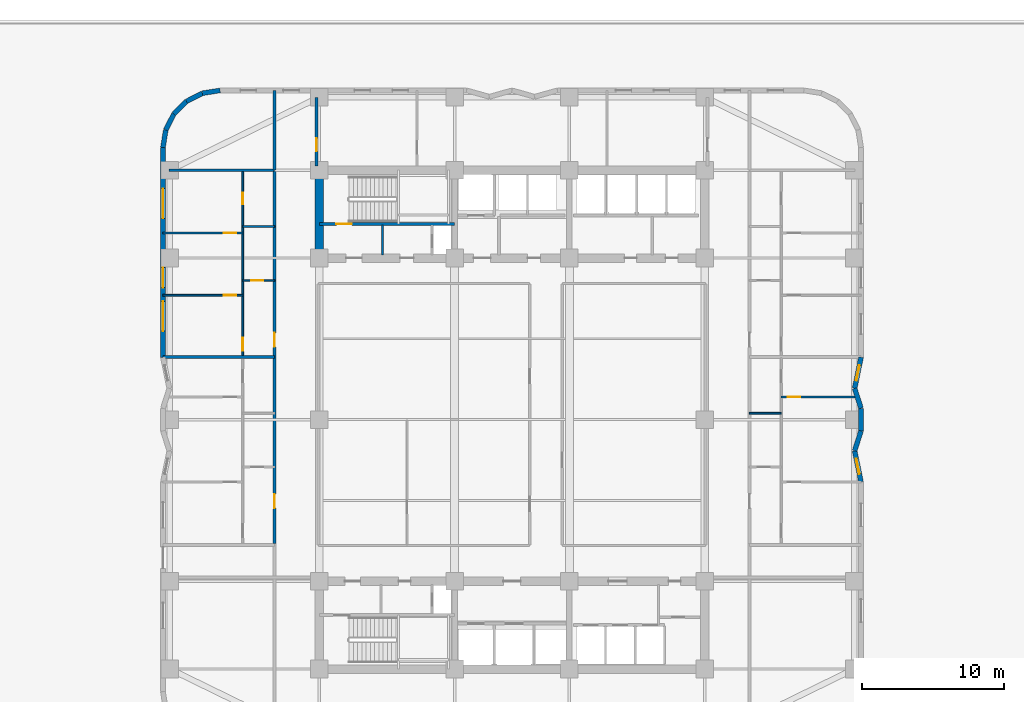
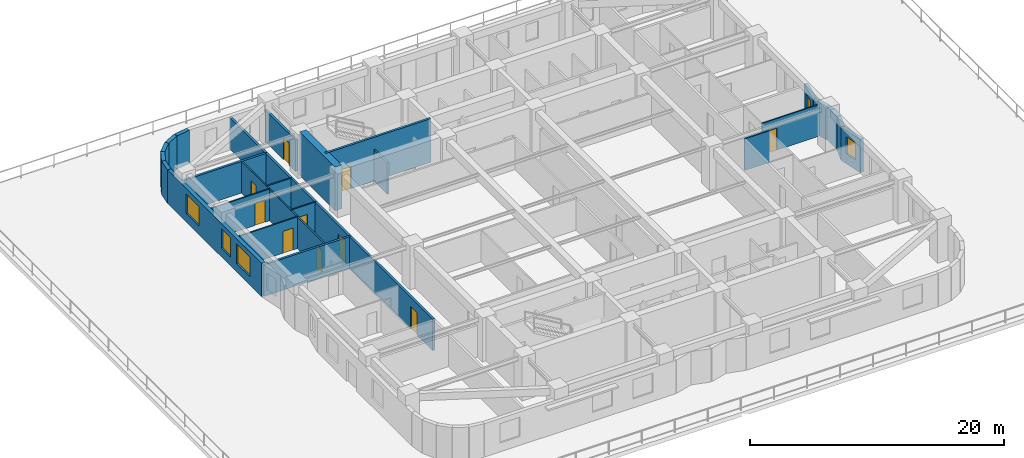
# One storey, part 5 of 11: 26 walls, 10 doors, 5 windows, 15 openings.
"""IFC4 building model written with IfcOpenShell, lengths in metres."""

from ifc_helpers import new_model, si_unit, direction, frame, frame_2d, origin, place, context, subcontext, project, spatial, rectangle, extrude, material, layer, layer_set, type_object, element, fill, save


model = new_model("IFC4")

# Units and contexts
model_context = context("Model", 3, precision=1e-05, world=origin(), true_north=direction((0.0, 1.0)))
body_context = subcontext(model_context, "Body", "Model", "MODEL_VIEW")
ifc_project = project(units=[si_unit("LENGTHUNIT", "METRE"), si_unit("AREAUNIT", "SQUARE_METRE"), si_unit("VOLUMEUNIT", "CUBIC_METRE"), si_unit("PLANEANGLEUNIT", "RADIAN"), si_unit("MASSUNIT", "GRAM", prefix="KILO")], contexts=[model_context])

# Site, building, storey
site_placement = place(None, origin())
site = spatial("IfcSite", under=ifc_project, at=site_placement, CompositionType="ELEMENT")
building_placement = place(site_placement, origin())
building = spatial("IfcBuilding", under=site, at=building_placement, Name="Svetorya Sky Lyceum", CompositionType="ELEMENT")
storey_placement = place(building_placement, frame((0.0, 0.0, 24.60009765625)))
storey = spatial("IfcBuildingStorey", under=building, at=storey_placement, Name="L05", CompositionType="ELEMENT", Elevation=24.60009765625)

# Wall
ifc_material_1 = material(Name="Concrete C60/75", Category="concrete")
ifc_layer_1 = layer(ifc_material_1, 0.60009765625)
ifc_layer_set_1 = layer_set([ifc_layer_1], Name="Concrete C60/75")
wall_type_1 = type_object("IfcWallType", Name="WL-CORE-600", PredefinedType="SHEAR", material=ifc_layer_set_1)
wall_1_placement = place(storey_placement, frame((25.60009765625, 39.89990234375, 0.0), z_axis=(0.0, 0.0, 1.0), x_axis=(0.0, 1.0, 0.0)))
element("IfcWall", 1, at=wall_1_placement, inside=storey, type_object=wall_type_1, Name="L05 NC West Core Shear Wall", PredefinedType="SHEAR", context=body_context, shape_type="SweptSolid", body=[
    extrude(rectangle(XDim=5.60009765625, YDim=0.60009765625, at=frame_2d((2.800048828125, 0.0))), origin(), (0.0, 0.0, 1.0), 4.199951171875),
])

# Wall, opening, window
ifc_material_2 = material(Name="Putilovo limestone rainscreen on autoclaved cellular masonry", Category="masonry")
ifc_layer_2 = layer(ifc_material_2, 0.340087890625)
ifc_layer_set_2 = layer_set([ifc_layer_2], Name="Putilovo limestone rainscreen on autoclaved cellular masonry")
wall_type_2 = type_object("IfcWallType", Name="WL-EXT-340", PredefinedType="SOLIDWALL", material=ifc_layer_set_2)
wall_2_placement = place(storey_placement, frame((63.830078125, 23.800048828125, 0.0), z_axis=(0.0, 0.0, 1.0), x_axis=(-0.200483989418, 0.979696978656, 0.0)))
wall_2 = element("IfcWall", 2, at=wall_2_placement, inside=storey, type_object=wall_type_2, Name="L05 Limestone Exterior Wall 18M", PredefinedType="SOLIDWALL", context=body_context, shape_type="SweptSolid", body=[
    extrude(rectangle(XDim=2.24560546875, YDim=0.340087890625, at=frame_2d((1.122802734375, 0.0))), origin(), (0.0, 0.0, 1.0), 3.199951171875),
])
opening_1_placement = place(wall_2_placement, frame((0.57275390625, 0.0, 0.949951171875)))
opening_1 = element("IfcOpeningElement", 3, at=opening_1_placement, cuts=wall_2, Name="Opening W-R3", PredefinedType="OPENING", context=body_context, shape_type="SweptSolid", body=[
    extrude(rectangle(XDim=1.10009765625, YDim=1.64990234375, at=frame_2d((0.550048828125, 0.824951171875))), frame((0.0, 0.179931640625, 0.0), z_axis=(0.0, -1.0, 0.0), x_axis=(1.0, 0.0, 0.0)), (0.0, 0.0, 1.0), 0.360107421875),
])
ifc_material_3 = material(Name="Thermally broken aluminium frame with triple low-E glazing", Category="aluminium")
window_type_1 = type_object("IfcWindowType", Name="WN-RES-110", PartitioningType="SINGLE_PANEL", PredefinedType="WINDOW", material=ifc_material_3)
window_1_placement = place(opening_1_placement, origin())
window_1 = element("IfcWindow", 4, at=window_1_placement, inside=storey, type_object=window_type_1, Name="L05 Facade Window W-R3.18M.1", OverallHeight=1.64990234375, OverallWidth=1.10009765625, PartitioningType="SINGLE_PANEL", PredefinedType="WINDOW", context=body_context, shape_type="SweptSolid", body=[
    extrude(rectangle(XDim=1.10009765625, YDim=1.64990234375, at=frame_2d((0.550048828125, 0.824951171875))), frame((0.0, 0.030029296875, 0.0), z_axis=(0.0, -1.0, 0.0), x_axis=(1.0, 0.0, 0.0)), (0.0, 0.0, 1.0), 0.06005859375),
])
fill(opening_1, window_1)

# Walls
wall_3_placement = place(storey_placement, frame((63.3798828125, 26.0, 0.0), z_axis=(0.0, 0.0, 1.0), x_axis=(0.306148906283, 0.951983638085, 0.0)))
element("IfcWall", 5, at=wall_3_placement, inside=storey, type_object=wall_type_2, Name="L05 Limestone Exterior Wall 19M", PredefinedType="SOLIDWALL", context=body_context, shape_type="SweptSolid", body=[
    extrude(rectangle(XDim=1.470458984375, YDim=0.340087890625, at=frame_2d((0.7353515625, 0.0))), origin(), (0.0, 0.0, 1.0), 3.199951171875),
])
wall_4_placement = place(storey_placement, frame((63.830078125, 27.39990234375, 0.0), z_axis=(0.0, 0.0, 1.0), x_axis=(0.0, 1.0, 0.0)))
element("IfcWall", 6, at=wall_4_placement, inside=storey, type_object=wall_type_2, Name="L05 Limestone Exterior Wall 20M", PredefinedType="SOLIDWALL", context=body_context, shape_type="SweptSolid", body=[
    extrude(rectangle(XDim=1.60009765625, YDim=0.340087890625, at=frame_2d((0.800048828125, 0.0))), origin(), (0.0, 0.0, 1.0), 3.199951171875),
])
wall_5_placement = place(storey_placement, frame((63.830078125, 29.0, 0.0), z_axis=(0.0, 0.0, 1.0), x_axis=(-0.306148906283, 0.951983638085, 0.0)))
element("IfcWall", 7, at=wall_5_placement, inside=storey, type_object=wall_type_2, Name="L05 Limestone Exterior Wall 21M", PredefinedType="SOLIDWALL", context=body_context, shape_type="SweptSolid", body=[
    extrude(rectangle(XDim=1.470458984375, YDim=0.340087890625, at=frame_2d((0.7353515625, 0.0))), origin(), (0.0, 0.0, 1.0), 3.199951171875),
])

# Wall, opening, window
wall_6_placement = place(storey_placement, frame((63.3798828125, 30.39990234375, 0.0), z_axis=(0.0, 0.0, 1.0), x_axis=(0.200462637103, 0.979701347925, 0.0)))
wall_6 = element("IfcWall", 8, at=wall_6_placement, inside=storey, type_object=wall_type_2, Name="L05 Limestone Exterior Wall 22M", PredefinedType="SOLIDWALL", context=body_context, shape_type="SweptSolid", body=[
    extrude(rectangle(XDim=2.245849609375, YDim=0.340087890625, at=frame_2d((1.123046875, 0.0))), origin(), (0.0, 0.0, 1.0), 3.199951171875),
])
opening_2_placement = place(wall_6_placement, frame((0.57275390625, 0.0, 0.949951171875)))
opening_2 = element("IfcOpeningElement", 9, at=opening_2_placement, cuts=wall_6, Name="Opening W-R3", PredefinedType="OPENING", context=body_context, shape_type="SweptSolid", body=[
    extrude(rectangle(XDim=1.10009765625, YDim=1.64990234375, at=frame_2d((0.550048828125, 0.824951171875))), frame((0.0, 0.179931640625, 0.0), z_axis=(0.0, -1.0, 0.0), x_axis=(1.0, 0.0, 0.0)), (0.0, 0.0, 1.0), 0.360107421875),
])
window_2_placement = place(opening_2_placement, origin())
window_2 = element("IfcWindow", 10, at=window_2_placement, inside=storey, type_object=window_type_1, Name="L05 Facade Window W-R3.22M.1", OverallHeight=1.64990234375, OverallWidth=1.10009765625, PartitioningType="SINGLE_PANEL", PredefinedType="WINDOW", context=body_context, shape_type="SweptSolid", body=[
    extrude(rectangle(XDim=1.10009765625, YDim=1.64990234375, at=frame_2d((0.550048828125, 0.824951171875))), frame((0.0, 0.030029296875, 0.0), z_axis=(0.0, -1.0, 0.0), x_axis=(1.0, 0.0, 0.0)), (0.0, 0.0, 1.0), 0.06005859375),
])
fill(opening_2, window_2)

# Walls
wall_7_placement = place(storey_placement, frame((18.60009765625, 51.429931640625, 0.0), z_axis=(0.0, 0.0, 1.0), x_axis=(-0.98771582066, -0.156260864002, 0.0)))
element("IfcWall", 11, at=wall_7_placement, inside=storey, type_object=wall_type_2, Name="L05 Limestone Exterior Wall 35M", PredefinedType="SOLIDWALL", context=body_context, shape_type="SweptSolid", body=[
    extrude(rectangle(XDim=1.2607421875, YDim=0.340087890625, at=frame_2d((0.63037109375, 0.0))), origin(), (0.0, 0.0, 1.0), 3.199951171875),
])
for number, where, z_axis, x_axis, name in (
    (12, (17.354736328125, 51.23291015625, 0.0), (0.0, 0.0, 1.0), (-0.890993689142, -0.454015689056, 0.0), "L05 Limestone Exterior Wall 36M"),
    (13, (16.231201171875, 50.660400390625, 0.0), (0.0, 0.0, 1.0), (-0.707106781187, -0.707106781187, 0.0), "L05 Limestone Exterior Wall 37M"),
    (14, (15.339599609375, 49.768798828125, 0.0), (0.0, 0.0, 1.0), (-0.454015689056, -0.890993689142, 0.0), "L05 Limestone Exterior Wall 38M"),
):
    element("IfcWall", number, at=place(storey_placement, frame(where, z_axis=z_axis, x_axis=x_axis)), inside=storey, type_object=wall_type_2, Name=name, PredefinedType="SOLIDWALL", context=body_context, shape_type="SweptSolid", body=[
        extrude(rectangle(XDim=1.260986328125, YDim=0.340087890625, at=frame_2d((0.63037109375, 0.0))), origin(), (0.0, 0.0, 1.0), 3.199951171875),
    ])
wall_8_placement = place(storey_placement, frame((14.76708984375, 48.645263671875, 0.0), z_axis=(0.0, 0.0, 1.0), x_axis=(-0.156260864002, -0.98771582066, 0.0)))
element("IfcWall", 15, at=wall_8_placement, inside=storey, type_object=wall_type_2, Name="L05 Limestone Exterior Wall 39M", PredefinedType="SOLIDWALL", context=body_context, shape_type="SweptSolid", body=[
    extrude(rectangle(XDim=1.2607421875, YDim=0.340087890625, at=frame_2d((0.63037109375, 0.0))), origin(), (0.0, 0.0, 1.0), 3.199951171875),
])

# Wall, openings, windows
wall_9_placement = place(storey_placement, frame((14.570068359375, 47.39990234375, 0.0), z_axis=(0.0, 0.0, 1.0), x_axis=(0.0, -1.0, 0.0)))
wall_9 = element("IfcWall", 16, at=wall_9_placement, inside=storey, type_object=wall_type_2, Name="L05 Limestone Exterior Wall 40M", PredefinedType="SOLIDWALL", context=body_context, shape_type="SweptSolid", body=[
    extrude(rectangle(XDim=14.7998046875, YDim=0.340087890625, at=frame_2d((7.39990234375, 0.0))), origin(), (0.0, 0.0, 1.0), 3.199951171875),
])
opening_3_placement = place(wall_9_placement, frame((2.89990234375, 0.0, 0.800048828125)))
opening_3 = element("IfcOpeningElement", 17, at=opening_3_placement, cuts=wall_9, Name="Opening W-R0", PredefinedType="OPENING", context=body_context, shape_type="SweptSolid", body=[
    extrude(rectangle(XDim=2.10009765625, YDim=1.89990234375, at=frame_2d((1.050048828125, 0.949951171875))), frame((0.0, 0.179931640625, 0.0), z_axis=(0.0, -1.0, 0.0), x_axis=(1.0, 0.0, 0.0)), (0.0, 0.0, 1.0), 0.360107421875),
])
opening_4_placement = place(wall_9_placement, frame((8.47998046875, 0.0, 0.85009765625)))
opening_4 = element("IfcOpeningElement", 18, at=opening_4_placement, cuts=wall_9, Name="Opening W-R2", PredefinedType="OPENING", context=body_context, shape_type="SweptSolid", body=[
    extrude(rectangle(XDim=1.39990234375, YDim=1.85009765625, at=frame_2d((0.699951171875, 0.925048828125))), frame((0.0, 0.179931640625, 0.0), z_axis=(0.0, -1.0, 0.0), x_axis=(1.0, 0.0, 0.0)), (0.0, 0.0, 1.0), 0.360107421875),
])
opening_5_placement = place(wall_9_placement, frame((10.85009765625, 0.0, 0.800048828125)))
opening_5 = element("IfcOpeningElement", 19, at=opening_5_placement, cuts=wall_9, Name="Opening W-R0", PredefinedType="OPENING", context=body_context, shape_type="SweptSolid", body=[
    extrude(rectangle(XDim=2.10009765625, YDim=1.89990234375, at=frame_2d((1.050048828125, 0.949951171875))), frame((0.0, 0.179931640625, 0.0), z_axis=(0.0, -1.0, 0.0), x_axis=(1.0, 0.0, 0.0)), (0.0, 0.0, 1.0), 0.360107421875),
])
window_type_2 = type_object("IfcWindowType", Name="WN-RES-140", PartitioningType="SINGLE_PANEL", PredefinedType="WINDOW", material=ifc_material_3)
window_3_placement = place(opening_4_placement, origin())
window_3 = element("IfcWindow", 20, at=window_3_placement, inside=storey, type_object=window_type_2, Name="L05 Facade Window W-R2.40M.3", OverallHeight=1.85009765625, OverallWidth=1.39990234375, PartitioningType="SINGLE_PANEL", PredefinedType="WINDOW", context=body_context, shape_type="SweptSolid", body=[
    extrude(rectangle(XDim=1.39990234375, YDim=1.85009765625, at=frame_2d((0.699951171875, 0.925048828125))), frame((0.0, 0.030029296875, 0.0), z_axis=(0.0, -1.0, 0.0), x_axis=(1.0, 0.0, 0.0)), (0.0, 0.0, 1.0), 0.06005859375),
])
fill(opening_4, window_3)
window_type_3 = type_object("IfcWindowType", Name="WN-RES-210", PartitioningType="TRIPLE_PANEL_VERTICAL", PredefinedType="WINDOW", material=ifc_material_3)
window_4_placement = place(opening_3_placement, origin())
window_4 = element("IfcWindow", 21, at=window_4_placement, inside=storey, type_object=window_type_3, Name="L05 Facade Window W-R0.40M.1", OverallHeight=1.89990234375, OverallWidth=2.10009765625, PartitioningType="SINGLE_PANEL", PredefinedType="WINDOW", context=body_context, shape_type="SweptSolid", body=[
    extrude(rectangle(XDim=2.10009765625, YDim=1.89990234375, at=frame_2d((1.050048828125, 0.949951171875))), frame((0.0, 0.030029296875, 0.0), z_axis=(0.0, -1.0, 0.0), x_axis=(1.0, 0.0, 0.0)), (0.0, 0.0, 1.0), 0.06005859375),
])
fill(opening_3, window_4)
window_5_placement = place(opening_5_placement, origin())
window_5 = element("IfcWindow", 22, at=window_5_placement, inside=storey, type_object=window_type_3, Name="L05 Facade Window W-R0.40M.2", OverallHeight=1.89990234375, OverallWidth=2.10009765625, PartitioningType="SINGLE_PANEL", PredefinedType="WINDOW", context=body_context, shape_type="SweptSolid", body=[
    extrude(rectangle(XDim=2.10009765625, YDim=1.89990234375, at=frame_2d((1.050048828125, 0.949951171875))), frame((0.0, 0.030029296875, 0.0), z_axis=(0.0, -1.0, 0.0), x_axis=(1.0, 0.0, 0.0)), (0.0, 0.0, 1.0), 0.06005859375),
])
fill(opening_5, window_5)

# Wall, opening, door
ifc_material_4 = material(Name="Twin-stud galvanized framing with double fireboard", Category="gypsum")
ifc_layer_3 = layer(ifc_material_4, 0.1201171875)
ifc_layer_set_3 = layer_set([ifc_layer_3], Name="Twin-stud galvanized framing with double fireboard")
wall_type_3 = type_object("IfcWallType", Name="WL-PART-120", PredefinedType="PARTITIONING", material=ifc_layer_set_3)
wall_10_placement = place(storey_placement, frame((20.199951171875, 38.02490234375, 0.0), z_axis=(0.0, 0.0, 1.0), x_axis=(1.0, 0.0, 0.0)))
wall_10 = element("IfcWall", 23, at=wall_10_placement, inside=storey, type_object=wall_type_3, Name="L05 Interior Partition W2-WH1", PredefinedType="PARTITIONING", context=body_context, shape_type="SweptSolid", body=[
    extrude(rectangle(XDim=2.25, YDim=0.1201171875, at=frame_2d((1.125, 0.0))), origin(), (0.0, 0.0, 1.0), 3.02978515625),
])
opening_6_placement = place(wall_10_placement, frame((0.60009765625, 0.0, 0.0)))
opening_6 = element("IfcOpeningElement", 24, at=opening_6_placement, cuts=wall_10, Name="Opening D-BT1", PredefinedType="OPENING", context=body_context, shape_type="SweptSolid", body=[
    extrude(rectangle(XDim=0.85009765625, YDim=2.10009765625, at=frame_2d((0.425048828125, 1.050048828125))), frame((0.0, 0.070068359375, 0.0), z_axis=(0.0, -1.0, 0.0), x_axis=(1.0, 0.0, 0.0)), (0.0, 0.0, 1.0), 0.14013671875),
])
ifc_material_5 = material(Name="Moisture-resistant laminate bathroom door")
door_type_1 = type_object("IfcDoorType", Name="DR-WET-850", OperationType="SINGLE_SWING_LEFT", PredefinedType="DOOR", material=ifc_material_5)
door_1_placement = place(opening_6_placement, origin())
door_1 = element("IfcDoor", 25, at=door_1_placement, inside=storey, type_object=door_type_1, Name="Apartment W2 Bathroom Door", OperationType="SINGLE_SWING_RIGHT", OverallHeight=2.10009765625, OverallWidth=0.85009765625, PredefinedType="DOOR", context=body_context, shape_type="SweptSolid", body=[
    extrude(rectangle(XDim=0.85009765625, YDim=2.10009765625, at=frame_2d((0.425048828125, 1.050048828125))), frame((0.0, 0.02490234375, 0.0), z_axis=(0.0, -1.0, 0.0), x_axis=(1.0, 0.0, 0.0)), (0.0, 0.0, 1.0), 0.050048828125),
])
fill(opening_6, door_1)

wall_11_placement = place(storey_placement, frame((14.570068359375, 36.97509765625, 0.0), z_axis=(0.0, 0.0, 1.0), x_axis=(1.0, 0.0, 0.0)))
wall_11 = element("IfcWall", 26, at=wall_11_placement, inside=storey, type_object=wall_type_3, Name="L05 Interior Partition W2-WL1", PredefinedType="PARTITIONING", context=body_context, shape_type="SweptSolid", body=[
    extrude(rectangle(XDim=5.6298828125, YDim=0.1201171875, at=frame_2d((2.81494140625, 0.0))), origin(), (0.0, 0.0, 1.0), 3.02978515625),
])
opening_7_placement = place(wall_11_placement, frame((4.280029296875, 0.0, 0.0)))
opening_7 = element("IfcOpeningElement", 27, at=opening_7_placement, cuts=wall_11, Name="Opening D-RM1", PredefinedType="OPENING", context=body_context, shape_type="SweptSolid", body=[
    extrude(rectangle(XDim=0.89990234375, YDim=2.10009765625, at=frame_2d((0.449951171875, 1.050048828125))), frame((0.0, 0.070068359375, 0.0), z_axis=(0.0, -1.0, 0.0), x_axis=(1.0, 0.0, 0.0)), (0.0, 0.0, 1.0), 0.14013671875),
])
ifc_material_6 = material(Name="Lacquered birch veneer internal door")
door_type_2 = type_object("IfcDoorType", Name="DR-INT-900", OperationType="SINGLE_SWING_LEFT", PredefinedType="DOOR", material=ifc_material_6)
door_2_placement = place(opening_7_placement, origin())
door_2 = element("IfcDoor", 28, at=door_2_placement, inside=storey, type_object=door_type_2, Name="Apartment W2 Master Bedroom Door", OperationType="SINGLE_SWING_RIGHT", OverallHeight=2.10009765625, OverallWidth=0.89990234375, PredefinedType="DOOR", context=body_context, shape_type="SweptSolid", body=[
    extrude(rectangle(XDim=0.89990234375, YDim=2.10009765625, at=frame_2d((0.449951171875, 1.050048828125))), frame((0.0, 0.02490234375, 0.0), z_axis=(0.0, -1.0, 0.0), x_axis=(1.0, 0.0, 0.0)), (0.0, 0.0, 1.0), 0.050048828125),
])
fill(opening_7, door_2)

wall_12_placement = place(storey_placement, frame((14.570068359375, 41.375, 0.0), z_axis=(0.0, 0.0, 1.0), x_axis=(1.0, 0.0, 0.0)))
wall_12 = element("IfcWall", 29, at=wall_12_placement, inside=storey, type_object=wall_type_3, Name="L05 Interior Partition W2-WL2", PredefinedType="PARTITIONING", context=body_context, shape_type="SweptSolid", body=[
    extrude(rectangle(XDim=5.6298828125, YDim=0.1201171875, at=frame_2d((2.81494140625, 0.0))), origin(), (0.0, 0.0, 1.0), 3.02978515625),
])
opening_8_placement = place(wall_12_placement, frame((4.280029296875, 0.0, 0.0)))
opening_8 = element("IfcOpeningElement", 30, at=opening_8_placement, cuts=wall_12, Name="Opening D-RM1", PredefinedType="OPENING", context=body_context, shape_type="SweptSolid", body=[
    extrude(rectangle(XDim=0.89990234375, YDim=2.10009765625, at=frame_2d((0.449951171875, 1.050048828125))), frame((0.0, 0.070068359375, 0.0), z_axis=(0.0, -1.0, 0.0), x_axis=(1.0, 0.0, 0.0)), (0.0, 0.0, 1.0), 0.14013671875),
])
door_3_placement = place(opening_8_placement, origin())
door_3 = element("IfcDoor", 31, at=door_3_placement, inside=storey, type_object=door_type_2, Name="Apartment W2 Bedroom 2 Door", OperationType="SINGLE_SWING_LEFT", OverallHeight=2.10009765625, OverallWidth=0.89990234375, PredefinedType="DOOR", context=body_context, shape_type="SweptSolid", body=[
    extrude(rectangle(XDim=0.89990234375, YDim=2.10009765625, at=frame_2d((0.449951171875, 1.050048828125))), frame((0.0, 0.02490234375, 0.0), z_axis=(0.0, -1.0, 0.0), x_axis=(1.0, 0.0, 0.0)), (0.0, 0.0, 1.0), 0.050048828125),
])
fill(opening_8, door_3)

# Wall, openings, doors
wall_13_placement = place(storey_placement, frame((20.199951171875, 32.6650390625, 0.0), z_axis=(0.0, 0.0, 1.0), x_axis=(0.0, 1.0, 0.0)))
wall_13 = element("IfcWall", 32, at=wall_13_placement, inside=storey, type_object=wall_type_3, Name="L05 Interior Partition W2-WV", PredefinedType="PARTITIONING", context=body_context, shape_type="SweptSolid", body=[
    extrude(rectangle(XDim=13.094970703125, YDim=0.1201171875, at=frame_2d((6.54736328125, 0.0))), origin(), (0.0, 0.0, 1.0), 3.02978515625),
])
opening_9_placement = place(wall_13_placement, frame((0.409912109375, 0.0, 0.0)))
opening_9 = element("IfcOpeningElement", 33, at=opening_9_placement, cuts=wall_13, Name="Opening D-RM1", PredefinedType="OPENING", context=body_context, shape_type="SweptSolid", body=[
    extrude(rectangle(XDim=0.89990234375, YDim=2.10009765625, at=frame_2d((0.449951171875, 1.050048828125))), frame((0.0, 0.070068359375, 0.0), z_axis=(0.0, -1.0, 0.0), x_axis=(1.0, 0.0, 0.0)), (0.0, 0.0, 1.0), 0.14013671875),
])
opening_10_placement = place(wall_13_placement, frame((10.722412109375, 0.0, 0.0)))
opening_10 = element("IfcOpeningElement", 34, at=opening_10_placement, cuts=wall_13, Name="Opening D-BT2", PredefinedType="OPENING", context=body_context, shape_type="SweptSolid", body=[
    extrude(rectangle(XDim=0.820068359375, YDim=2.080078125, at=frame_2d((0.41015625, 1.0400390625))), frame((0.0, 0.070068359375, 0.0), z_axis=(0.0, -1.0, 0.0), x_axis=(1.0, 0.0, 0.0)), (0.0, 0.0, 1.0), 0.14013671875),
])
door_4_placement = place(opening_9_placement, origin())
door_4 = element("IfcDoor", 35, at=door_4_placement, inside=storey, type_object=door_type_2, Name="Apartment W2 Living Door", OperationType="SINGLE_SWING_LEFT", OverallHeight=2.10009765625, OverallWidth=0.89990234375, PredefinedType="DOOR", context=body_context, shape_type="SweptSolid", body=[
    extrude(rectangle(XDim=0.89990234375, YDim=2.10009765625, at=frame_2d((0.449951171875, 1.050048828125))), frame((0.0, 0.02490234375, 0.0), z_axis=(0.0, -1.0, 0.0), x_axis=(1.0, 0.0, 0.0)), (0.0, 0.0, 1.0), 0.050048828125),
])
fill(opening_9, door_4)
ifc_material_7 = material(Name="Compact moisture-resistant laminate closet door")
door_type_3 = type_object("IfcDoorType", Name="DR-WET-820", OperationType="SINGLE_SWING_LEFT", PredefinedType="DOOR", material=ifc_material_7)
door_5_placement = place(opening_10_placement, origin())
door_5 = element("IfcDoor", 36, at=door_5_placement, inside=storey, type_object=door_type_3, Name="Apartment W2 Study Door", OperationType="SINGLE_SWING_RIGHT", OverallHeight=2.080078125, OverallWidth=0.820068359375, PredefinedType="DOOR", context=body_context, shape_type="SweptSolid", body=[
    extrude(rectangle(XDim=0.820068359375, YDim=2.080078125, at=frame_2d((0.41015625, 1.0400390625))), frame((0.0, 0.02490234375, 0.0), z_axis=(0.0, -1.0, 0.0), x_axis=(1.0, 0.0, 0.0)), (0.0, 0.0, 1.0), 0.050048828125),
])
fill(opening_10, door_5)

# Wall, opening, door
wall_14_placement = place(storey_placement, frame((58.199951171875, 29.800048828125, 0.0), z_axis=(0.0, 0.0, 1.0), x_axis=(1.0, 0.0, 0.0)))
wall_14 = element("IfcWall", 37, at=wall_14_placement, inside=storey, type_object=wall_type_3, Name="L05 Interior Partition E1-WL2", PredefinedType="PARTITIONING", context=body_context, shape_type="SweptSolid", body=[
    extrude(rectangle(XDim=5.373046875, YDim=0.1201171875, at=frame_2d((2.6865234375, 0.0))), origin(), (0.0, 0.0, 1.0), 3.02978515625),
])
opening_11_placement = place(wall_14_placement, frame((0.449951171875, 0.0, 0.0)))
opening_11 = element("IfcOpeningElement", 38, at=opening_11_placement, cuts=wall_14, Name="Opening D-RM1", PredefinedType="OPENING", context=body_context, shape_type="SweptSolid", body=[
    extrude(rectangle(XDim=0.89990234375, YDim=2.10009765625, at=frame_2d((0.449951171875, 1.050048828125))), frame((0.0, 0.070068359375, 0.0), z_axis=(0.0, -1.0, 0.0), x_axis=(1.0, 0.0, 0.0)), (0.0, 0.0, 1.0), 0.14013671875),
])
door_6_placement = place(opening_11_placement, origin())
door_6 = element("IfcDoor", 39, at=door_6_placement, inside=storey, type_object=door_type_2, Name="Apartment E1 Bedroom 2 Door", OperationType="SINGLE_SWING_LEFT", OverallHeight=2.10009765625, OverallWidth=0.89990234375, PredefinedType="DOOR", context=body_context, shape_type="SweptSolid", body=[
    extrude(rectangle(XDim=0.89990234375, YDim=2.10009765625, at=frame_2d((0.449951171875, 1.050048828125))), frame((0.0, 0.02490234375, 0.0), z_axis=(0.0, -1.0, 0.0), x_axis=(1.0, 0.0, 0.0)), (0.0, 0.0, 1.0), 0.050048828125),
])
fill(opening_11, door_6)

# Walls
ifc_material_8 = material(Name="Twin-stud galvanized framing with acoustic board", Category="gypsum")
ifc_layer_4 = layer(ifc_material_8, 0.135009765625)
ifc_layer_set_4 = layer_set([ifc_layer_4], Name="Twin-stud galvanized framing with acoustic board")
wall_type_4 = type_object("IfcWallType", Name="WL-PART-135", PredefinedType="PARTITIONING", material=ifc_layer_set_4)
for number, where, z_axis, x_axis, name in (
    (40, (20.199951171875, 41.824951171875, 0.0), (0.0, 0.0, 1.0), (1.0, 0.0, 0.0), "L05 Interior Partition W2-WH2"),
    (41, (55.949951171875, 28.64990234375, 0.0), (0.0, 0.0, 1.0), (1.0, 0.0, 0.0), "L05 Interior Partition E1-WH2"),
):
    element("IfcWall", number, at=place(storey_placement, frame(where, z_axis=z_axis, x_axis=x_axis)), inside=storey, type_object=wall_type_4, Name=name, PredefinedType="PARTITIONING", context=body_context, shape_type="SweptSolid", body=[
        extrude(rectangle(XDim=2.25, YDim=0.135009765625, at=frame_2d((1.125, 0.0))), origin(), (0.0, 0.0, 1.0), 3.02978515625),
    ])
ifc_material_9 = material(Name="Autoclaved cellular masonry blockwork with acoustic render", Category="masonry")
ifc_layer_5 = layer(ifc_material_9, 0.14990234375)
ifc_layer_set_5 = layer_set([ifc_layer_5], Name="Autoclaved cellular masonry blockwork with acoustic render")
wall_type_5 = type_object("IfcWallType", Name="WL-PART-150", PredefinedType="PARTITIONING", material=ifc_layer_set_5)
wall_15_placement = place(storey_placement, frame((30.050048828125, 39.820068359375, 0.0), z_axis=(0.0, 0.0, 1.0), x_axis=(0.0, 1.0, 0.0)))
element("IfcWall", 42, at=wall_15_placement, inside=storey, type_object=wall_type_5, Name="L05 Interior Partition NC-NWD1", PredefinedType="PARTITIONING", context=body_context, shape_type="SweptSolid", body=[
    extrude(rectangle(XDim=2.1298828125, YDim=0.14990234375, at=frame_2d((1.06494140625, 0.0))), origin(), (0.0, 0.0, 1.0), 3.02978515625),
])
ifc_material_10 = material(Name="Autoclaved cellular masonry blockwork with gypsum plaster", Category="masonry")
ifc_layer_6 = layer(ifc_material_10, 0.199951171875)
ifc_layer_set_6 = layer_set([ifc_layer_6], Name="Autoclaved cellular masonry blockwork with gypsum plaster")
wall_type_6 = type_object("IfcWallType", Name="WL-PART-200", PredefinedType="PARTITIONING", material=ifc_layer_set_6)
wall_16_placement = place(storey_placement, frame((14.570068359375, 32.625, 0.0), z_axis=(0.0, 0.0, 1.0), x_axis=(1.0, 0.0, 0.0)))
element("IfcWall", 43, at=wall_16_placement, inside=storey, type_object=wall_type_6, Name="L05 Interior Partition W-PARTY-1", PredefinedType="PARTITIONING", context=body_context, shape_type="SweptSolid", body=[
    extrude(rectangle(XDim=7.8798828125, YDim=0.199951171875, at=frame_2d((3.93994140625, 0.0))), origin(), (0.0, 0.0, 1.0), 3.02978515625),
])

# Wall, openings, doors
wall_17_placement = place(storey_placement, frame((22.449951171875, 19.449951171875, 0.0), z_axis=(0.0, 0.0, 1.0), x_axis=(0.0, 1.0, 0.0)))
wall_17 = element("IfcWall", 44, at=wall_17_placement, inside=storey, type_object=wall_type_6, Name="L05 Interior Partition W-CORRW", PredefinedType="PARTITIONING", context=body_context, shape_type="SweptSolid", body=[
    extrude(rectangle(XDim=26.35009765625, YDim=0.199951171875, at=frame_2d((13.175048828125, 0.0))), origin(), (0.0, 0.0, 1.0), 3.02978515625),
])
opening_12_placement = place(wall_17_placement, frame((2.5, 0.0, 0.0)))
opening_12 = element("IfcOpeningElement", 45, at=opening_12_placement, cuts=wall_17, Name="Opening D-APT1", PredefinedType="OPENING", context=body_context, shape_type="SweptSolid", body=[
    extrude(rectangle(XDim=1.0, YDim=2.14990234375, at=frame_2d((0.5, 1.074951171875))), frame((0.0, 0.10986328125, 0.0), z_axis=(0.0, -1.0, 0.0), x_axis=(1.0, 0.0, 0.0)), (0.0, 0.0, 1.0), 0.219970703125),
])
opening_13_placement = place(wall_17_placement, frame((13.875, 0.0, 0.0)))
opening_13 = element("IfcOpeningElement", 46, at=opening_13_placement, cuts=wall_17, Name="Opening D-APT1", PredefinedType="OPENING", context=body_context, shape_type="SweptSolid", body=[
    extrude(rectangle(XDim=1.0, YDim=2.14990234375, at=frame_2d((0.5, 1.074951171875))), frame((0.0, 0.10986328125, 0.0), z_axis=(0.0, -1.0, 0.0), x_axis=(1.0, 0.0, 0.0)), (0.0, 0.0, 1.0), 0.219970703125),
])
ifc_material_11 = material(Name="Insulated oak-veneered apartment entrance door")
door_type_4 = type_object("IfcDoorType", Name="DR-APT-1000", OperationType="SINGLE_SWING_LEFT", PredefinedType="DOOR", material=ifc_material_11)
door_7_placement = place(opening_12_placement, origin())
door_7 = element("IfcDoor", 47, at=door_7_placement, inside=storey, type_object=door_type_4, Name="L05 Apartment W1 Entrance Door", OperationType="SINGLE_SWING_LEFT", OverallHeight=2.14990234375, OverallWidth=1.0, PredefinedType="DOOR", context=body_context, shape_type="SweptSolid", body=[
    extrude(rectangle(XDim=1.0, YDim=2.14990234375, at=frame_2d((0.5, 1.074951171875))), frame((0.0, 0.02490234375, 0.0), z_axis=(0.0, -1.0, 0.0), x_axis=(1.0, 0.0, 0.0)), (0.0, 0.0, 1.0), 0.050048828125),
])
fill(opening_12, door_7)
door_8_placement = place(opening_13_placement, origin())
door_8 = element("IfcDoor", 48, at=door_8_placement, inside=storey, type_object=door_type_4, Name="L05 Apartment W2 Entrance Door", OperationType="SINGLE_SWING_RIGHT", OverallHeight=2.14990234375, OverallWidth=1.0, PredefinedType="DOOR", context=body_context, shape_type="SweptSolid", body=[
    extrude(rectangle(XDim=1.0, YDim=2.14990234375, at=frame_2d((0.5, 1.074951171875))), frame((0.0, 0.02490234375, 0.0), z_axis=(0.0, -1.0, 0.0), x_axis=(1.0, 0.0, 0.0)), (0.0, 0.0, 1.0), 0.050048828125),
])
fill(opening_13, door_8)

# Walls
wall_18_placement = place(storey_placement, frame((14.989990234375, 45.800048828125, 0.0), z_axis=(0.0, 0.0, 1.0), x_axis=(1.0, 0.0, 0.0)))
element("IfcWall", 49, at=wall_18_placement, inside=storey, type_object=wall_type_6, Name="L05 Interior Partition W-CAP-N", PredefinedType="PARTITIONING", context=body_context, shape_type="SweptSolid", body=[
    extrude(rectangle(XDim=7.4599609375, YDim=0.199951171875, at=frame_2d((3.72998046875, 0.0))), origin(), (0.0, 0.0, 1.0), 3.02978515625),
])
wall_19_placement = place(storey_placement, frame((22.449951171875, 45.800048828125, 0.0), z_axis=(0.0, 0.0, 1.0), x_axis=(0.0, 1.0, 0.0)))
element("IfcWall", 50, at=wall_19_placement, inside=storey, type_object=wall_type_6, Name="L05 Interior Partition WC-NW-END", PredefinedType="PARTITIONING", context=body_context, shape_type="SweptSolid", body=[
    extrude(rectangle(XDim=5.6298828125, YDim=0.199951171875, at=frame_2d((2.81494140625, 0.0))), origin(), (0.0, 0.0, 1.0), 3.02978515625),
])

# Wall, opening, door
wall_20_placement = place(storey_placement, frame((25.39990234375, 46.10009765625, 0.0), z_axis=(0.0, 0.0, 1.0), x_axis=(0.0, 1.0, 0.0)))
wall_20 = element("IfcWall", 51, at=wall_20_placement, inside=storey, type_object=wall_type_6, Name="L05 Interior Partition N-EW", PredefinedType="PARTITIONING", context=body_context, shape_type="SweptSolid", body=[
    extrude(rectangle(XDim=4.829833984375, YDim=0.199951171875, at=frame_2d((2.4150390625, 0.0))), origin(), (0.0, 0.0, 1.0), 3.02978515625),
])
opening_14_placement = place(wall_20_placement, frame((1.050048828125, 0.0, 0.0)))
opening_14 = element("IfcOpeningElement", 52, at=opening_14_placement, cuts=wall_20, Name="Opening D-RM1", PredefinedType="OPENING", context=body_context, shape_type="SweptSolid", body=[
    extrude(rectangle(XDim=0.89990234375, YDim=2.10009765625, at=frame_2d((0.449951171875, 1.050048828125))), frame((0.0, 0.10986328125, 0.0), z_axis=(0.0, -1.0, 0.0), x_axis=(1.0, 0.0, 0.0)), (0.0, 0.0, 1.0), 0.219970703125),
])
door_9_placement = place(opening_14_placement, origin())
door_9 = element("IfcDoor", 53, at=door_9_placement, inside=storey, type_object=door_type_2, Name="L05 North Study Door", OperationType="SINGLE_SWING_RIGHT", OverallHeight=2.10009765625, OverallWidth=0.89990234375, PredefinedType="DOOR", context=body_context, shape_type="SweptSolid", body=[
    extrude(rectangle(XDim=0.89990234375, YDim=2.10009765625, at=frame_2d((0.449951171875, 1.050048828125))), frame((0.0, 0.02490234375, 0.0), z_axis=(0.0, -1.0, 0.0), x_axis=(1.0, 0.0, 0.0)), (0.0, 0.0, 1.0), 0.050048828125),
])
fill(opening_14, door_9)

ifc_material_12 = material(Name="Concrete C50/60", Category="concrete")
ifc_layer_7 = layer(ifc_material_12, 0.199951171875)
ifc_layer_set_7 = layer_set([ifc_layer_7], Name="Concrete C50/60")
wall_type_7 = type_object("IfcWallType", Name="WL-SHW-200", PredefinedType="SHEAR", material=ifc_layer_set_7)
wall_21_placement = place(storey_placement, frame((35.14990234375, 42.0, 0.0), z_axis=(0.0, 0.0, 1.0), x_axis=(-1.0, 0.0, 0.0)))
wall_21 = element("IfcWall", 54, at=wall_21_placement, inside=storey, type_object=wall_type_7, Name="L05 Structural Stair Shaft Wall NC-STW", PredefinedType="SHEAR", context=body_context, shape_type="SweptSolid", body=[
    extrude(rectangle(XDim=9.5498046875, YDim=0.199951171875, at=frame_2d((4.77490234375, 0.0))), origin(), (0.0, 0.0, 1.0), 4.199951171875),
])
opening_15_placement = place(wall_21_placement, frame((7.25, 0.0, 0.0)))
opening_15 = element("IfcOpeningElement", 55, at=opening_15_placement, cuts=wall_21, Name="Opening D-ST1", PredefinedType="OPENING", context=body_context, shape_type="SweptSolid", body=[
    extrude(rectangle(XDim=1.10009765625, YDim=2.14990234375, at=frame_2d((0.550048828125, 1.074951171875))), frame((0.0, 0.10986328125, 0.0), z_axis=(0.0, -1.0, 0.0), x_axis=(1.0, 0.0, 0.0)), (0.0, 0.0, 1.0), 0.219970703125),
])
ifc_material_13 = material(Name="Powder-coated insulated galvanized stair fire door")
door_type_5 = type_object("IfcDoorType", Name="DR-FIRE-1100", OperationType="SINGLE_SWING_LEFT", PredefinedType="DOOR", material=ifc_material_13)
door_10_placement = place(opening_15_placement, origin())
door_10 = element("IfcDoor", 56, at=door_10_placement, inside=storey, type_object=door_type_5, Name="L05 Stair ST-N Vestibule Fire Door", OperationType="SINGLE_SWING_RIGHT", OverallHeight=2.14990234375, OverallWidth=1.10009765625, PredefinedType="DOOR", context=body_context, shape_type="SweptSolid", body=[
    extrude(rectangle(XDim=1.10009765625, YDim=2.14990234375, at=frame_2d((0.550048828125, 1.074951171875))), frame((0.0, 0.02490234375, 0.0), z_axis=(0.0, -1.0, 0.0), x_axis=(1.0, 0.0, 0.0)), (0.0, 0.0, 1.0), 0.050048828125),
])
fill(opening_15, door_10)

save(model, "model.ifc")
